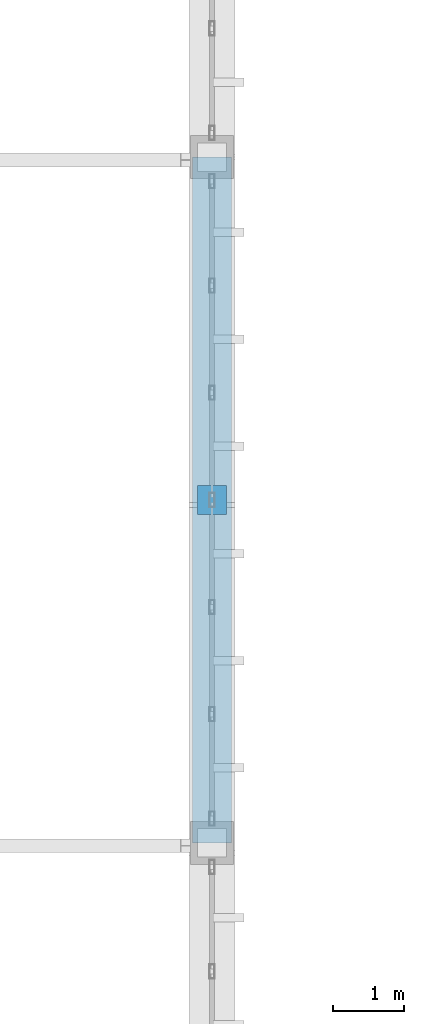
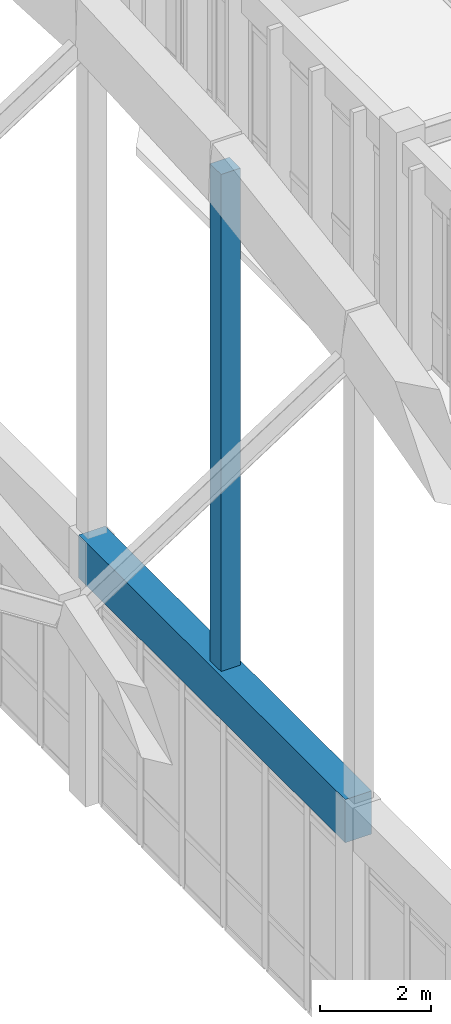
# One storey, part 137 of 236: 1 beam, 1 member.
"""IFC4 building model written with IfcOpenShell, lengths in metres."""

from ifc_helpers import new_model, si_unit, direction, frame, origin, origin_2d, place, context, subcontext, project, spatial, rectangle, extrude, material, material_profile, profile_set, type_object, element, save


model = new_model("IFC4")

# Units and contexts
model_context = context("Model", 3, precision=1e-05, world=origin(), true_north=direction((0.0, 1.0)))
body_context = subcontext(model_context, "Body", "Model", "MODEL_VIEW")
ifc_project = project(units=[si_unit("LENGTHUNIT", "METRE"), si_unit("AREAUNIT", "SQUARE_METRE"), si_unit("VOLUMEUNIT", "CUBIC_METRE"), si_unit("PLANEANGLEUNIT", "RADIAN"), si_unit("MASSUNIT", "GRAM", prefix="KILO")], contexts=[model_context])

# Site, building, storey
site_placement = place(None, origin())
site = spatial("IfcSite", under=ifc_project, at=site_placement, CompositionType="ELEMENT")
building_placement = place(site_placement, origin())
building = spatial("IfcBuilding", under=site, at=building_placement, Name="Pandanus Reach Market Hall", CompositionType="ELEMENT")
storey_placement = place(building_placement, frame((0.0, 0.0, 5.39990234375)))
storey = spatial("IfcBuildingStorey", under=building, at=storey_placement, Name="L01", CompositionType="ELEMENT", Elevation=5.39990234375)

# Member
ifc_material = material(Name="Concrete N50 (50 MPa)", Category="concrete")
ifc_material_profile_1 = material_profile(ifc_material, rectangle(XDim=0.39990234375, YDim=0.39990234375, at=origin_2d()), Name="RC400x400", Category="LoadBearing")
ifc_profile_set_1 = profile_set([ifc_material_profile_1], Name="Concrete N50 (50 MPa)")
member_type = type_object("IfcMemberType", Name="AR-WEB400-E", PredefinedType="STRUT", material=ifc_profile_set_1)
member_placement = place(storey_placement, frame((132.0, 52.800048828125, 5.3251953125), z_axis=(0.0, 0.0, 1.0), x_axis=(1.0, 0.0, 0.0)))
element("IfcMember", 1, at=member_placement, inside=storey, type_object=member_type, Name="Arch truss vertical web strut A8.5", PredefinedType="STRUT", context=body_context, shape_type="SweptSolid", body=[
    extrude(rectangle(XDim=0.39990234375, YDim=0.39990234375, at=origin_2d()), origin(), (0.0, 0.0, 1.0), 11.3994140625),
])

# Beam
ifc_material_profile_2 = material_profile(ifc_material, rectangle(XDim=0.550048828125, YDim=0.949951171875, at=origin_2d()), Name="RC550x950", Category="LoadBearing")
ifc_profile_set_2 = profile_set([ifc_material_profile_2], Name="Concrete N50 (50 MPa)")
beam_type = type_object("IfcBeamType", Name="BM-RC550-E", PredefinedType="BEAM", material=ifc_profile_set_2)
beam_placement = place(storey_placement, frame((132.0, 48.0, 5.3251953125), z_axis=(0.0, 1.0, 0.0), x_axis=(-1.0, 0.0, 0.0)))
element("IfcBeam", 2, at=beam_placement, inside=storey, type_object=beam_type, Name="Parabolic arch tie girder A8.3", PredefinedType="BEAM", context=body_context, shape_type="SweptSolid", body=[
    extrude(rectangle(XDim=0.550048828125, YDim=0.949951171875, at=origin_2d()), origin(), (0.0, 0.0, 1.0), 9.60009765625),
])

save(model, "model.ifc")
